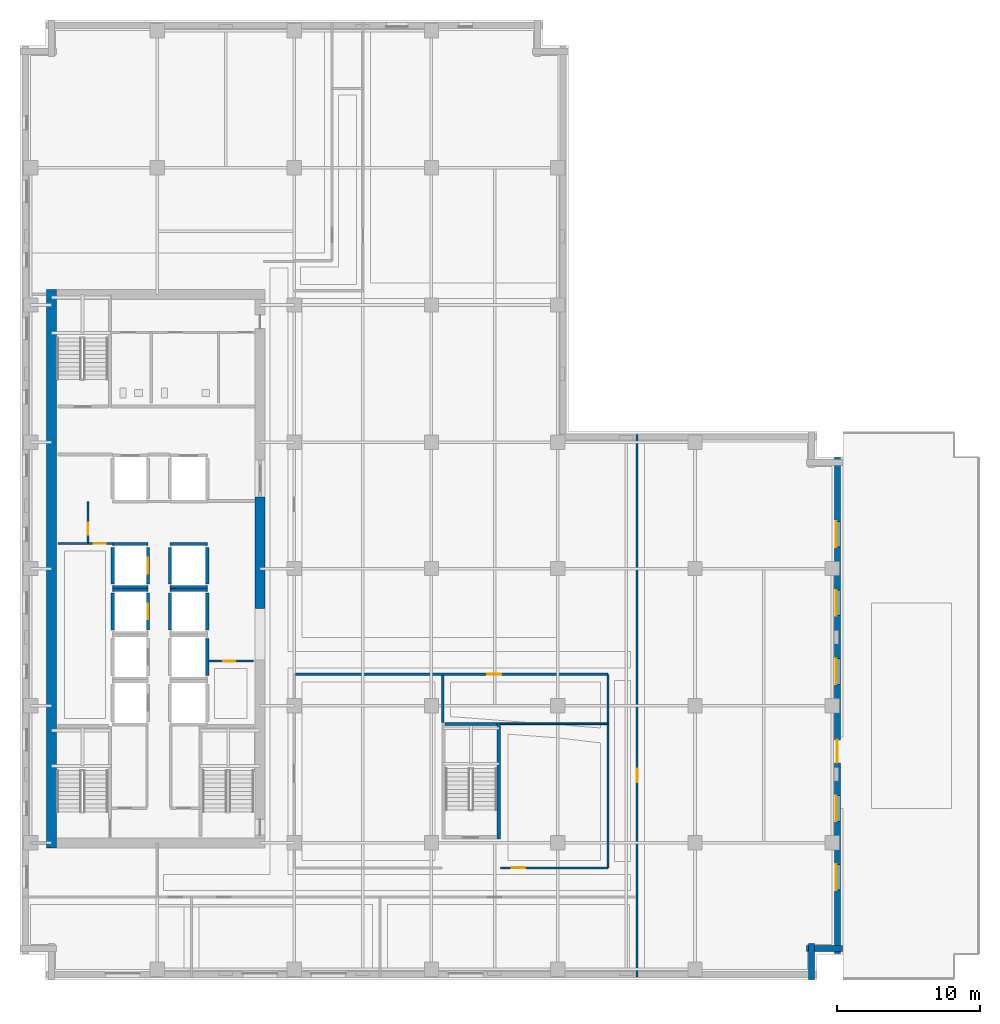
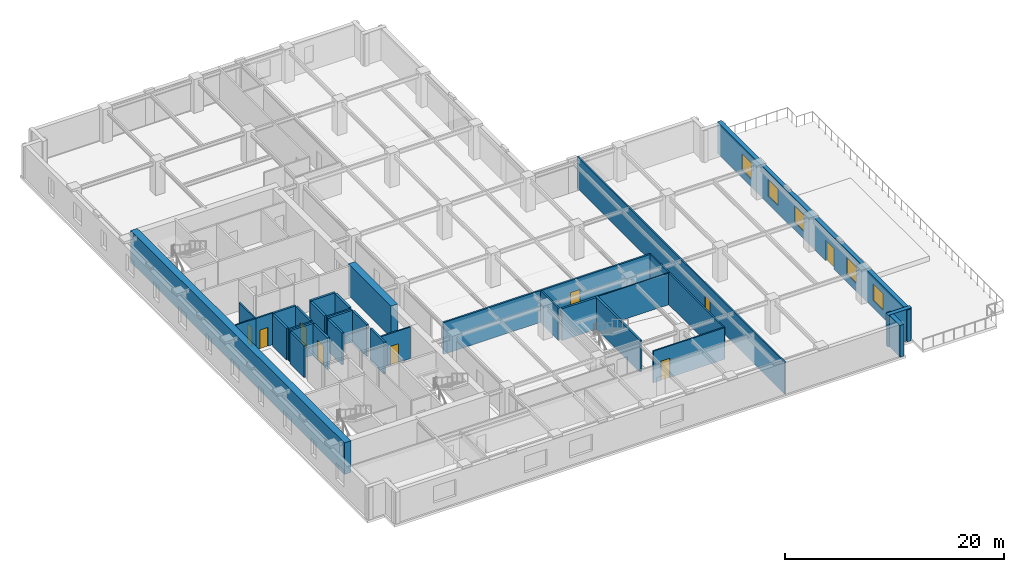
# One storey, part 5 of 12: 32 walls, 9 doors, 5 windows, 14 openings.
"""IFC4 building model written with IfcOpenShell, lengths in metres."""

from ifc_helpers import new_model, si_unit, direction, frame, frame_2d, origin, place, context, subcontext, project, spatial, rectangle, extrude, material, layer, layer_set, type_object, element, fill, save


model = new_model("IFC4")

# Units and contexts
model_context = context("Model", 3, precision=1e-05, world=origin(), true_north=direction((0.0, 1.0)))
body_context = subcontext(model_context, "Body", "Model", "MODEL_VIEW")
ifc_project = project(units=[si_unit("LENGTHUNIT", "METRE"), si_unit("AREAUNIT", "SQUARE_METRE"), si_unit("VOLUMEUNIT", "CUBIC_METRE"), si_unit("PLANEANGLEUNIT", "RADIAN"), si_unit("MASSUNIT", "GRAM", prefix="KILO")], contexts=[model_context])

# Site, building, storey
site_placement = place(None, origin())
site = spatial("IfcSite", under=ifc_project, at=site_placement, CompositionType="ELEMENT")
building_placement = place(site_placement, origin())
building = spatial("IfcBuilding", under=site, at=building_placement, Name="Norrvale University Quadrangle", CompositionType="ELEMENT")
storey_placement = place(building_placement, frame((0.0, 0.0, 101.39990234375)))
storey = spatial("IfcBuildingStorey", under=building, at=storey_placement, Name="L25", CompositionType="ELEMENT", Elevation=101.39990234375)

# Walls
ifc_material_1 = material(Name="Buff Norman Clay Brick Masonry", Category="masonry")
ifc_layer_1 = layer(ifc_material_1, 0.419921875, Name="Buff Norman Clay Brick Masonry")
ifc_layer_set_1 = layer_set([ifc_layer_1], Name="Buff Norman Clay Brick Masonry")
wall_type_1 = type_object("IfcWallType", Name="Wall Buff Brick 420", PredefinedType="SOLIDWALL", material=ifc_layer_set_1)
for number, where, z_axis, x_axis, name in (
    (1, (55.409912109375, 0.0400390625, 0.0), (0.0, 0.0, 1.0), (0.0, 1.0, 0.0), "Exterior Brick Facade Wall L25-02.1"),
    (2, (55.06005859375, 2.18994140625, 0.0), (0.0, 0.0, 1.0), (1.0, 0.0, 0.0), "Exterior Brick Facade Wall L25-03.1"),
):
    element("IfcWall", number, at=place(storey_placement, frame(where, z_axis=z_axis, x_axis=x_axis)), inside=storey, type_object=wall_type_1, Name=name, PredefinedType="SOLIDWALL", context=body_context, shape_type="SweptSolid", body=[
        extrude(rectangle(XDim=2.5, YDim=0.419921875, at=frame_2d((1.25, 0.0))), origin(), (0.0, 0.0, 1.0), 3.5400390625),
    ])

# Wall, openings, door, windows
wall_1_placement = place(storey_placement, frame((57.2099609375, 1.840087890625, 0.0), z_axis=(0.0, 0.0, 1.0), x_axis=(0.0, 1.0, 0.0)))
wall_1 = element("IfcWall", 3, at=wall_1_placement, inside=storey, type_object=wall_type_1, Name="Exterior Brick Facade Wall L25-04.1", PredefinedType="SOLIDWALL", context=body_context, shape_type="SweptSolid", body=[
    extrude(rectangle(XDim=34.719970703125, YDim=0.419921875, at=frame_2d((17.35986328125, 0.0))), origin(), (0.0, 0.0, 1.0), 3.5400390625),
])
opening_1_placement = place(wall_1_placement, frame((13.360107421875, 0.0, 0.0)))
opening_1 = element("IfcOpeningElement", 4, at=opening_1_placement, cuts=wall_1, Name="Opening D09", PredefinedType="OPENING", context=body_context, shape_type="SweptSolid", body=[
    extrude(rectangle(XDim=1.60009765625, YDim=2.300048828125, at=frame_2d((0.800048828125, 1.14990234375))), frame((0.0, 0.221923828125, 0.0), z_axis=(0.0, -1.0, 0.0), x_axis=(1.0, 0.0, 0.0)), (0.0, 0.0, 1.0), 0.44384765625),
])
opening_2_placement = place(wall_1_placement, frame((4.4599609375, 0.0, 0.85009765625)))
opening_2 = element("IfcOpeningElement", 5, at=opening_2_placement, cuts=wall_1, Name="Opening W01", PredefinedType="OPENING", context=body_context, shape_type="SweptSolid", body=[
    extrude(rectangle(XDim=1.800048828125, YDim=1.85009765625, at=frame_2d((0.89990234375, 0.925048828125))), frame((0.0, 0.221923828125, 0.0), z_axis=(0.0, -1.0, 0.0), x_axis=(1.0, 0.0, 0.0)), (0.0, 0.0, 1.0), 0.44384765625),
])
opening_3_placement = place(wall_1_placement, frame((9.260009765625, 0.0, 0.85009765625)))
opening_3 = element("IfcOpeningElement", 6, at=opening_3_placement, cuts=wall_1, Name="Opening W01", PredefinedType="OPENING", context=body_context, shape_type="SweptSolid", body=[
    extrude(rectangle(XDim=1.800048828125, YDim=1.85009765625, at=frame_2d((0.89990234375, 0.925048828125))), frame((0.0, 0.221923828125, 0.0), z_axis=(0.0, -1.0, 0.0), x_axis=(1.0, 0.0, 0.0)), (0.0, 0.0, 1.0), 0.44384765625),
])
opening_4_placement = place(wall_1_placement, frame((18.860107421875, 0.0, 0.85009765625)))
opening_4 = element("IfcOpeningElement", 7, at=opening_4_placement, cuts=wall_1, Name="Opening W01", PredefinedType="OPENING", context=body_context, shape_type="SweptSolid", body=[
    extrude(rectangle(XDim=1.800048828125, YDim=1.85009765625, at=frame_2d((0.89990234375, 0.925048828125))), frame((0.0, 0.221923828125, 0.0), z_axis=(0.0, -1.0, 0.0), x_axis=(1.0, 0.0, 0.0)), (0.0, 0.0, 1.0), 0.44384765625),
])
opening_5_placement = place(wall_1_placement, frame((23.659912109375, 0.0, 0.85009765625)))
opening_5 = element("IfcOpeningElement", 8, at=opening_5_placement, cuts=wall_1, Name="Opening W01", PredefinedType="OPENING", context=body_context, shape_type="SweptSolid", body=[
    extrude(rectangle(XDim=1.800048828125, YDim=1.85009765625, at=frame_2d((0.89990234375, 0.925048828125))), frame((0.0, 0.221923828125, 0.0), z_axis=(0.0, -1.0, 0.0), x_axis=(1.0, 0.0, 0.0)), (0.0, 0.0, 1.0), 0.44384765625),
])
opening_6_placement = place(wall_1_placement, frame((28.4599609375, 0.0, 0.85009765625)))
opening_6 = element("IfcOpeningElement", 9, at=opening_6_placement, cuts=wall_1, Name="Opening W01", PredefinedType="OPENING", context=body_context, shape_type="SweptSolid", body=[
    extrude(rectangle(XDim=1.800048828125, YDim=1.85009765625, at=frame_2d((0.89990234375, 0.925048828125))), frame((0.0, 0.221923828125, 0.0), z_axis=(0.0, -1.0, 0.0), x_axis=(1.0, 0.0, 0.0)), (0.0, 0.0, 1.0), 0.44384765625),
])
ifc_material_2 = material(Name="Thermally Broken Glazed Terrace Door")
door_type_1 = type_object("IfcDoorType", Name="Door Terrace 1600x2300", OperationType="DOUBLE_SWING_LEFT", PredefinedType="DOOR", material=ifc_material_2)
door_1_placement = place(opening_1_placement, frame((1.60009765625, 0.0, 0.0), z_axis=(0.0, 0.0, 1.0), x_axis=(-1.0, 0.0, 0.0)))
door_1 = element("IfcDoor", 10, at=door_1_placement, inside=storey, type_object=door_type_1, Name="Door Terrace 1600x2300 DR-L25-TERR-E", OperationType="DOUBLE_SWING_LEFT", OverallHeight=2.300048828125, OverallWidth=1.60009765625, PredefinedType="DOOR", context=body_context, shape_type="SweptSolid", body=[
    extrude(rectangle(XDim=1.60009765625, YDim=2.300048828125, at=frame_2d((0.800048828125, 1.14990234375))), frame((0.0, 0.02490234375, 0.0), z_axis=(0.0, -1.0, 0.0), x_axis=(1.0, 0.0, 0.0)), (0.0, 0.0, 1.0), 0.050048828125),
])
fill(opening_1, door_1)
ifc_material_3 = material(Name="Triple Low-E Argon Glazing", Category="glass")
window_type = type_object("IfcWindowType", Name="Window Academic 1800x2300", PartitioningType="DOUBLE_PANEL_VERTICAL", PredefinedType="WINDOW", material=ifc_material_3)
window_1_placement = place(opening_2_placement, origin())
window_1 = element("IfcWindow", 11, at=window_1_placement, inside=storey, type_object=window_type, Name="Window Academic 1800x2300 WIN-L25-E04-1-01", OverallHeight=1.85009765625, OverallWidth=1.800048828125, PartitioningType="DOUBLE_PANEL_VERTICAL", PredefinedType="WINDOW", context=body_context, shape_type="SweptSolid", body=[
    extrude(rectangle(XDim=1.800048828125, YDim=1.85009765625, at=frame_2d((0.89990234375, 0.925048828125))), frame((0.0, 0.110107421875, 0.0), z_axis=(0.0, -1.0, 0.0), x_axis=(1.0, 0.0, 0.0)), (0.0, 0.0, 1.0), 0.06005859375),
])
fill(opening_2, window_1)
window_2_placement = place(opening_3_placement, origin())
window_2 = element("IfcWindow", 12, at=window_2_placement, inside=storey, type_object=window_type, Name="Window Academic 1800x2300 WIN-L25-E04-1-02", OverallHeight=1.85009765625, OverallWidth=1.800048828125, PartitioningType="DOUBLE_PANEL_VERTICAL", PredefinedType="WINDOW", context=body_context, shape_type="SweptSolid", body=[
    extrude(rectangle(XDim=1.800048828125, YDim=1.85009765625, at=frame_2d((0.89990234375, 0.925048828125))), frame((0.0, 0.110107421875, 0.0), z_axis=(0.0, -1.0, 0.0), x_axis=(1.0, 0.0, 0.0)), (0.0, 0.0, 1.0), 0.06005859375),
])
fill(opening_3, window_2)
window_3_placement = place(opening_4_placement, origin())
window_3 = element("IfcWindow", 13, at=window_3_placement, inside=storey, type_object=window_type, Name="Window Academic 1800x2300 WIN-L25-E04-1-03", OverallHeight=1.85009765625, OverallWidth=1.800048828125, PartitioningType="DOUBLE_PANEL_VERTICAL", PredefinedType="WINDOW", context=body_context, shape_type="SweptSolid", body=[
    extrude(rectangle(XDim=1.800048828125, YDim=1.85009765625, at=frame_2d((0.89990234375, 0.925048828125))), frame((0.0, 0.110107421875, 0.0), z_axis=(0.0, -1.0, 0.0), x_axis=(1.0, 0.0, 0.0)), (0.0, 0.0, 1.0), 0.06005859375),
])
fill(opening_4, window_3)
window_4_placement = place(opening_5_placement, origin())
window_4 = element("IfcWindow", 14, at=window_4_placement, inside=storey, type_object=window_type, Name="Window Academic 1800x2300 WIN-L25-E04-1-04", OverallHeight=1.85009765625, OverallWidth=1.800048828125, PartitioningType="DOUBLE_PANEL_VERTICAL", PredefinedType="WINDOW", context=body_context, shape_type="SweptSolid", body=[
    extrude(rectangle(XDim=1.800048828125, YDim=1.85009765625, at=frame_2d((0.89990234375, 0.925048828125))), frame((0.0, 0.110107421875, 0.0), z_axis=(0.0, -1.0, 0.0), x_axis=(1.0, 0.0, 0.0)), (0.0, 0.0, 1.0), 0.06005859375),
])
fill(opening_5, window_4)
window_5_placement = place(opening_6_placement, origin())
window_5 = element("IfcWindow", 15, at=window_5_placement, inside=storey, type_object=window_type, Name="Window Academic 1800x2300 WIN-L25-E04-1-05", OverallHeight=1.85009765625, OverallWidth=1.800048828125, PartitioningType="DOUBLE_PANEL_VERTICAL", PredefinedType="WINDOW", context=body_context, shape_type="SweptSolid", body=[
    extrude(rectangle(XDim=1.800048828125, YDim=1.85009765625, at=frame_2d((0.89990234375, 0.925048828125))), frame((0.0, 0.110107421875, 0.0), z_axis=(0.0, -1.0, 0.0), x_axis=(1.0, 0.0, 0.0)), (0.0, 0.0, 1.0), 0.06005859375),
])
fill(opening_6, window_5)

# Walls
ifc_material_4 = material(Name="Concrete C60/75", Category="concrete")
ifc_layer_2 = layer(ifc_material_4, 0.699951171875, Name="Concrete C60/75")
ifc_layer_set_2 = layer_set([ifc_layer_2], Name="Concrete C60/75")
wall_type_2 = type_object("IfcWallType", Name="Wall Core 700", PredefinedType="SHEAR", material=ifc_layer_set_2)
wall_2_placement = place(storey_placement, frame((2.199951171875, 9.25, 0.0), z_axis=(0.0, 0.0, 1.0), x_axis=(0.0, 1.0, 0.0)))
element("IfcWall", 16, at=wall_2_placement, inside=storey, type_object=wall_type_2, Name="Tower Core Shear Wall L25-W", PredefinedType="SHEAR", context=body_context, shape_type="SweptSolid", body=[
    extrude(rectangle(XDim=39.10009765625, YDim=0.699951171875, at=frame_2d((19.550048828125, 0.0))), origin(), (0.0, 0.0, 1.0), 3.5400390625),
])
wall_3_placement = place(storey_placement, frame((16.800048828125, 26.0, 0.0), z_axis=(0.0, 0.0, 1.0), x_axis=(0.0, 1.0, 0.0)))
element("IfcWall", 17, at=wall_3_placement, inside=storey, type_object=wall_type_2, Name="Tower Core Shear Wall L25-E2", PredefinedType="SHEAR", context=body_context, shape_type="SweptSolid", body=[
    extrude(rectangle(XDim=7.800048828125, YDim=0.699951171875, at=frame_2d((3.89990234375, 0.0))), origin(), (0.0, 0.0, 1.0), 3.5400390625),
])
ifc_material_5 = material(Name="Standard Academic Gypsum Partition")
ifc_layer_3 = layer(ifc_material_5, 0.125, Name="Standard Academic Gypsum Partition")
ifc_layer_set_3 = layer_set([ifc_layer_3], Name="Standard Academic Gypsum Partition")
wall_type_3 = type_object("IfcWallType", Name="Wall Gypsum Academic 125", PredefinedType="PARTITIONING", material=ifc_layer_set_3)
wall_4_placement = place(storey_placement, frame((33.6201171875, 17.93994140625, 0.0), z_axis=(0.0, 0.0, 1.0), x_axis=(1.0, 0.0, 0.0)))
element("IfcWall", 18, at=wall_4_placement, inside=storey, type_object=wall_type_3, Name="Interior Partition WL-L25-ISLH", PredefinedType="PARTITIONING", context=body_context, shape_type="SweptSolid", body=[
    extrude(rectangle(XDim=7.52978515625, YDim=0.125, at=frame_2d((3.764892578125, 0.0))), origin(), (0.0, 0.0, 1.0), 3.5400390625),
])

# Wall, opening, door
ifc_material_6 = material(Name="Fire-Rated Gypsum Stud Partition")
ifc_layer_4 = layer(ifc_material_6, 0.14990234375, Name="Fire-Rated Gypsum Stud Partition")
ifc_layer_set_4 = layer_set([ifc_layer_4], Name="Fire-Rated Gypsum Stud Partition")
wall_type_4 = type_object("IfcWallType", Name="Wall Gypsum Corridor 150", PredefinedType="PARTITIONING", material=ifc_layer_set_4)
wall_5_placement = place(storey_placement, frame((13.22509765625, 22.320068359375, 0.0), z_axis=(0.0, 0.0, 1.0), x_axis=(1.0, 0.0, 0.0)))
wall_5 = element("IfcWall", 19, at=wall_5_placement, inside=storey, type_object=wall_type_4, Name="Interior Partition WL-L25-JAN-N", PredefinedType="PARTITIONING", context=body_context, shape_type="SweptSolid", body=[
    extrude(rectangle(XDim=3.119873046875, YDim=0.14990234375, at=frame_2d((1.56005859375, 0.0))), origin(), (0.0, 0.0, 1.0), 3.5400390625),
])
opening_7_placement = place(wall_5_placement, frame((1.0, 0.0, 0.0)))
opening_7 = element("IfcOpeningElement", 20, at=opening_7_placement, cuts=wall_5, Name="Opening D10", PredefinedType="OPENING", context=body_context, shape_type="SweptSolid", body=[
    extrude(rectangle(XDim=0.85009765625, YDim=2.10009765625, at=frame_2d((0.425048828125, 1.050048828125))), frame((0.0, 0.0869140625, 0.0), z_axis=(0.0, -1.0, 0.0), x_axis=(1.0, 0.0, 0.0)), (0.0, 0.0, 1.0), 0.173828125),
])
ifc_material_7 = material(Name="Hollow Steel 350W Riser Fire Door", Category="steel")
door_type_2 = type_object("IfcDoorType", Name="Door Riser 850x2100", OperationType="NOTDEFINED", PredefinedType="DOOR", material=ifc_material_7)
door_2_placement = place(opening_7_placement, origin())
door_2 = element("IfcDoor", 21, at=door_2_placement, inside=storey, type_object=door_type_2, Name="Door Riser 850x2100 DR-L25-JAN", OperationType="SINGLE_SWING_LEFT", OverallHeight=2.10009765625, OverallWidth=0.85009765625, PredefinedType="DOOR", context=body_context, shape_type="SweptSolid", body=[
    extrude(rectangle(XDim=0.85009765625, YDim=2.10009765625, at=frame_2d((0.425048828125, 1.050048828125))), frame((0.0, 0.02490234375, 0.0), z_axis=(0.0, -1.0, 0.0), x_axis=(1.0, 0.0, 0.0)), (0.0, 0.0, 1.0), 0.050048828125),
])
fill(opening_7, door_2)

wall_6_placement = place(storey_placement, frame((4.760009765625, 30.550048828125, 0.0), z_axis=(0.0, 0.0, 1.0), x_axis=(0.0, 1.0, 0.0)))
wall_6 = element("IfcWall", 22, at=wall_6_placement, inside=storey, type_object=wall_type_4, Name="Interior Partition WL-L25-WME-E", PredefinedType="PARTITIONING", context=body_context, shape_type="SweptSolid", body=[
    extrude(rectangle(XDim=2.929931640625, YDim=0.14990234375, at=frame_2d((1.46484375, 0.0))), origin(), (0.0, 0.0, 1.0), 3.5400390625),
])
opening_8_placement = place(wall_6_placement, frame((0.60009765625, 0.0, 0.0)))
opening_8 = element("IfcOpeningElement", 23, at=opening_8_placement, cuts=wall_6, Name="Opening D10", PredefinedType="OPENING", context=body_context, shape_type="SweptSolid", body=[
    extrude(rectangle(XDim=0.85009765625, YDim=2.10009765625, at=frame_2d((0.425048828125, 1.050048828125))), frame((0.0, 0.0869140625, 0.0), z_axis=(0.0, -1.0, 0.0), x_axis=(1.0, 0.0, 0.0)), (0.0, 0.0, 1.0), 0.173828125),
])
door_3_placement = place(opening_8_placement, origin())
door_3 = element("IfcDoor", 24, at=door_3_placement, inside=storey, type_object=door_type_2, Name="Door Riser 850x2100 DR-L25-WME", OperationType="SINGLE_SWING_LEFT", OverallHeight=2.10009765625, OverallWidth=0.85009765625, PredefinedType="DOOR", context=body_context, shape_type="SweptSolid", body=[
    extrude(rectangle(XDim=0.85009765625, YDim=2.10009765625, at=frame_2d((0.425048828125, 1.050048828125))), frame((0.0, 0.02490234375, 0.0), z_axis=(0.0, -1.0, 0.0), x_axis=(1.0, 0.0, 0.0)), (0.0, 0.0, 1.0), 0.050048828125),
])
fill(opening_8, door_3)

wall_7_placement = place(storey_placement, frame((4.760009765625, 30.550048828125, 0.0), z_axis=(0.0, 0.0, 1.0), x_axis=(1.0, 0.0, 0.0)))
wall_7 = element("IfcWall", 25, at=wall_7_placement, inside=storey, type_object=wall_type_4, Name="Interior Partition WL-L25-WST-N", PredefinedType="PARTITIONING", context=body_context, shape_type="SweptSolid", body=[
    extrude(rectangle(XDim=1.760009765625, YDim=0.14990234375, at=frame_2d((0.8798828125, 0.0))), origin(), (0.0, 0.0, 1.0), 3.5400390625),
])
opening_9_placement = place(wall_7_placement, frame((0.39990234375, 0.0, 0.0)))
opening_9 = element("IfcOpeningElement", 26, at=opening_9_placement, cuts=wall_7, Name="Opening D10", PredefinedType="OPENING", context=body_context, shape_type="SweptSolid", body=[
    extrude(rectangle(XDim=0.85009765625, YDim=2.10009765625, at=frame_2d((0.425048828125, 1.050048828125))), frame((0.0, 0.0869140625, 0.0), z_axis=(0.0, -1.0, 0.0), x_axis=(1.0, 0.0, 0.0)), (0.0, 0.0, 1.0), 0.173828125),
])
door_4_placement = place(opening_9_placement, origin())
door_4 = element("IfcDoor", 27, at=door_4_placement, inside=storey, type_object=door_type_2, Name="Door Riser 850x2100 DR-L25-WST", OperationType="SINGLE_SWING_RIGHT", OverallHeight=2.10009765625, OverallWidth=0.85009765625, PredefinedType="DOOR", context=body_context, shape_type="SweptSolid", body=[
    extrude(rectangle(XDim=0.85009765625, YDim=2.10009765625, at=frame_2d((0.425048828125, 1.050048828125))), frame((0.0, 0.02490234375, 0.0), z_axis=(0.0, -1.0, 0.0), x_axis=(1.0, 0.0, 0.0)), (0.0, 0.0, 1.0), 0.050048828125),
])
fill(opening_9, door_4)

# Wall
wall_8_placement = place(storey_placement, frame((2.64990234375, 30.550048828125, 0.0), z_axis=(0.0, 0.0, 1.0), x_axis=(1.0, 0.0, 0.0)))
element("IfcWall", 28, at=wall_8_placement, inside=storey, type_object=wall_type_4, Name="Interior Partition WL-L25-WST-N2", PredefinedType="PARTITIONING", context=body_context, shape_type="SweptSolid", body=[
    extrude(rectangle(XDim=2.110107421875, YDim=0.14990234375, at=frame_2d((1.05517578125, 0.0))), origin(), (0.0, 0.0, 1.0), 3.5400390625),
])

# Wall, opening, door
wall_9_placement = place(storey_placement, frame((43.199951171875, 0.219970703125, 0.0), z_axis=(0.0, 0.0, 1.0), x_axis=(0.0, 1.0, 0.0)))
wall_9 = element("IfcWall", 29, at=wall_9_placement, inside=storey, type_object=wall_type_4, Name="Interior Partition WL-L25-ECW", PredefinedType="PARTITIONING", context=body_context, shape_type="SweptSolid", body=[
    extrude(rectangle(XDim=37.9599609375, YDim=0.14990234375, at=frame_2d((18.97998046875, 0.0))), origin(), (0.0, 0.0, 1.0), 3.5400390625),
])
opening_10_placement = place(wall_9_placement, frame((13.6298828125, 0.0, 0.0)))
opening_10 = element("IfcOpeningElement", 30, at=opening_10_placement, cuts=wall_9, Name="Opening D07", PredefinedType="OPENING", context=body_context, shape_type="SweptSolid", body=[
    extrude(rectangle(XDim=0.949951171875, YDim=2.14990234375, at=frame_2d((0.47509765625, 1.074951171875))), frame((0.0, 0.0869140625, 0.0), z_axis=(0.0, -1.0, 0.0), x_axis=(1.0, 0.0, 0.0)), (0.0, 0.0, 1.0), 0.173828125),
])
ifc_material_8 = material(Name="Solid-Core Maple Door", Category="wood")
door_type_3 = type_object("IfcDoorType", Name="Door Office 950x2150", OperationType="NOTDEFINED", PredefinedType="DOOR", material=ifc_material_8)
door_5_placement = place(opening_10_placement, origin())
door_5 = element("IfcDoor", 31, at=door_5_placement, inside=storey, type_object=door_type_3, Name="Door Office 950x2150 DR-L25-E01", OperationType="SINGLE_SWING_RIGHT", OverallHeight=2.14990234375, OverallWidth=0.949951171875, PredefinedType="DOOR", context=body_context, shape_type="SweptSolid", body=[
    extrude(rectangle(XDim=0.949951171875, YDim=2.14990234375, at=frame_2d((0.47509765625, 1.074951171875))), frame((0.0, 0.02490234375, 0.0), z_axis=(0.0, -1.0, 0.0), x_axis=(1.0, 0.0, 0.0)), (0.0, 0.0, 1.0), 0.050048828125),
])
fill(opening_10, door_5)

wall_10_placement = place(storey_placement, frame((33.6201171875, 7.85009765625, 0.0), z_axis=(0.0, 0.0, 1.0), x_axis=(1.0, 0.0, 0.0)))
wall_10 = element("IfcWall", 32, at=wall_10_placement, inside=storey, type_object=wall_type_4, Name="Interior Partition WL-L25-ISLS2", PredefinedType="PARTITIONING", context=body_context, shape_type="SweptSolid", body=[
    extrude(rectangle(XDim=7.52978515625, YDim=0.14990234375, at=frame_2d((3.764892578125, 0.0))), origin(), (0.0, 0.0, 1.0), 3.5400390625),
])
opening_11_placement = place(wall_10_placement, frame((0.800048828125, 0.0, 0.0)))
opening_11 = element("IfcOpeningElement", 33, at=opening_11_placement, cuts=wall_10, Name="Opening D07", PredefinedType="OPENING", context=body_context, shape_type="SweptSolid", body=[
    extrude(rectangle(XDim=0.949951171875, YDim=2.14990234375, at=frame_2d((0.47509765625, 1.074951171875))), frame((0.0, 0.0869140625, 0.0), z_axis=(0.0, -1.0, 0.0), x_axis=(1.0, 0.0, 0.0)), (0.0, 0.0, 1.0), 0.173828125),
])
door_6_placement = place(opening_11_placement, origin())
door_6 = element("IfcDoor", 34, at=door_6_placement, inside=storey, type_object=door_type_3, Name="Door Office 950x2150 DR-L25-ISE", OperationType="SINGLE_SWING_LEFT", OverallHeight=2.14990234375, OverallWidth=0.949951171875, PredefinedType="DOOR", context=body_context, shape_type="SweptSolid", body=[
    extrude(rectangle(XDim=0.949951171875, YDim=2.14990234375, at=frame_2d((0.47509765625, 1.074951171875))), frame((0.0, 0.02490234375, 0.0), z_axis=(0.0, -1.0, 0.0), x_axis=(1.0, 0.0, 0.0)), (0.0, 0.0, 1.0), 0.050048828125),
])
fill(opening_11, door_6)

# Walls
wall_11_placement = place(storey_placement, frame((41.14990234375, 7.85009765625, 0.0), z_axis=(0.0, 0.0, 1.0), x_axis=(0.0, 1.0, 0.0)))
element("IfcWall", 35, at=wall_11_placement, inside=storey, type_object=wall_type_4, Name="Interior Partition WL-L25-ISLE", PredefinedType="PARTITIONING", context=body_context, shape_type="SweptSolid", body=[
    extrude(rectangle(XDim=13.5498046875, YDim=0.14990234375, at=frame_2d((6.77490234375, 0.0))), origin(), (0.0, 0.0, 1.0), 3.5400390625),
])
ifc_material_9 = material(Name="Acoustic Double-Stud Gypsum Partition")
ifc_layer_5 = layer(ifc_material_9, 0.179931640625, Name="Acoustic Double-Stud Gypsum Partition")
ifc_layer_set_5 = layer_set([ifc_layer_5], Name="Acoustic Double-Stud Gypsum Partition")
wall_type_5 = type_object("IfcWallType", Name="Wall Gypsum Lecture 180", PredefinedType="PARTITIONING", material=ifc_layer_set_5)
wall_12_placement = place(storey_placement, frame((29.580078125, 18.02490234375, 0.0), z_axis=(0.0, 0.0, 1.0), x_axis=(0.0, 1.0, 0.0)))
element("IfcWall", 36, at=wall_12_placement, inside=storey, type_object=wall_type_5, Name="Interior Partition WL-L25-ISLD", PredefinedType="PARTITIONING", context=body_context, shape_type="SweptSolid", body=[
    extrude(rectangle(XDim=3.280029296875, YDim=0.179931640625, at=frame_2d((1.64013671875, 0.0))), origin(), (0.0, 0.0, 1.0), 3.5400390625),
])

# Wall, opening, door
wall_13_placement = place(storey_placement, frame((19.280029296875, 21.39990234375, 0.0), z_axis=(0.0, 0.0, 1.0), x_axis=(1.0, 0.0, 0.0)))
wall_13 = element("IfcWall", 37, at=wall_13_placement, inside=storey, type_object=wall_type_5, Name="Interior Partition WL-L25-ISLN", PredefinedType="PARTITIONING", context=body_context, shape_type="SweptSolid", body=[
    extrude(rectangle(XDim=21.869873046875, YDim=0.179931640625, at=frame_2d((10.93505859375, 0.0))), origin(), (0.0, 0.0, 1.0), 3.5400390625),
])
opening_12_placement = place(wall_13_placement, frame((13.419921875, 0.0, 0.0)))
opening_12 = element("IfcOpeningElement", 38, at=opening_12_placement, cuts=wall_13, Name="Opening D04", PredefinedType="OPENING", context=body_context, shape_type="SweptSolid", body=[
    extrude(rectangle(XDim=1.0, YDim=2.199951171875, at=frame_2d((0.5, 1.10009765625))), frame((0.0, 0.10205078125, 0.0), z_axis=(0.0, -1.0, 0.0), x_axis=(1.0, 0.0, 0.0)), (0.0, 0.0, 1.0), 0.203857421875),
])
ifc_material_10 = material(Name="Solid-Core Oak Fire Door", Category="wood")
door_type_4 = type_object("IfcDoorType", Name="Door Corridor 1000x2200", OperationType="NOTDEFINED", PredefinedType="DOOR", material=ifc_material_10)
door_7_placement = place(opening_12_placement, origin())
door_7 = element("IfcDoor", 39, at=door_7_placement, inside=storey, type_object=door_type_4, Name="Door Corridor 1000x2200 DR-L25-ILH", OperationType="SINGLE_SWING_RIGHT", OverallHeight=2.199951171875, OverallWidth=1.0, PredefinedType="DOOR", context=body_context, shape_type="SweptSolid", body=[
    extrude(rectangle(XDim=1.0, YDim=2.199951171875, at=frame_2d((0.5, 1.10009765625))), frame((0.0, 0.02490234375, 0.0), z_axis=(0.0, -1.0, 0.0), x_axis=(1.0, 0.0, 0.0)), (0.0, 0.0, 1.0), 0.050048828125),
])
fill(opening_12, door_7)

# Walls
ifc_material_11 = material(Name="Concrete Blockwork 20 MPa Fire Shaft", Category="masonry")
ifc_layer_6 = layer(ifc_material_11, 0.219970703125, Name="Concrete Blockwork 20 MPa Fire Shaft")
ifc_layer_set_6 = layer_set([ifc_layer_6], Name="Concrete Blockwork 20 MPa Fire Shaft")
wall_type_6 = type_object("IfcWallType", Name="Wall Shaft 220", PredefinedType="SOLIDWALL", material=ifc_layer_set_6)
wall_14_placement = place(storey_placement, frame((33.510009765625, 9.8798828125, 0.0), z_axis=(0.0, 0.0, 1.0), x_axis=(0.0, 1.0, 0.0)))
element("IfcWall", 40, at=wall_14_placement, inside=storey, type_object=wall_type_6, Name="Stair ST-04 East Shaft Wall L25", PredefinedType="SOLIDWALL", context=body_context, shape_type="SweptSolid", body=[
    extrude(rectangle(XDim=8.14013671875, YDim=0.219970703125, at=frame_2d((4.070068359375, 0.0))), origin(), (0.0, 0.0, 1.0), 3.5400390625),
])
wall_15_placement = place(storey_placement, frame((29.75, 17.909912109375, 0.0), z_axis=(0.0, 0.0, 1.0), x_axis=(1.0, 0.0, 0.0)))
element("IfcWall", 41, at=wall_15_placement, inside=storey, type_object=wall_type_6, Name="Stair ST-04 North Shaft Wall L25", PredefinedType="SOLIDWALL", context=body_context, shape_type="SweptSolid", body=[
    extrude(rectangle(XDim=3.64990234375, YDim=0.219970703125, at=frame_2d((1.824951171875, 0.0))), origin(), (0.0, 0.0, 1.0), 3.5400390625),
])
wall_16_placement = place(storey_placement, frame((6.489990234375, 24.510009765625, 0.0), z_axis=(0.0, 0.0, 1.0), x_axis=(0.0, 1.0, 0.0)))
element("IfcWall", 42, at=wall_16_placement, inside=storey, type_object=wall_type_6, Name="Hoistway PL-03 West Wall L25", PredefinedType="SOLIDWALL", context=body_context, shape_type="SweptSolid", body=[
    extrude(rectangle(XDim=2.580078125, YDim=0.219970703125, at=frame_2d((1.2900390625, 0.0))), origin(), (0.0, 0.0, 1.0), 3.5400390625),
])

# Wall, opening, door
wall_17_placement = place(storey_placement, frame((8.9599609375, 24.510009765625, 0.0), z_axis=(0.0, 0.0, 1.0), x_axis=(0.0, 1.0, 0.0)))
wall_17 = element("IfcWall", 43, at=wall_17_placement, inside=storey, type_object=wall_type_6, Name="Hoistway PL-03 East Wall L25", PredefinedType="SOLIDWALL", context=body_context, shape_type="SweptSolid", body=[
    extrude(rectangle(XDim=2.580078125, YDim=0.219970703125, at=frame_2d((1.2900390625, 0.0))), origin(), (0.0, 0.0, 1.0), 3.5400390625),
])
opening_13_placement = place(wall_17_placement, frame((0.739990234375, 0.0, 0.0)))
opening_13 = element("IfcOpeningElement", 44, at=opening_13_placement, cuts=wall_17, Name="Opening LD1", PredefinedType="OPENING", context=body_context, shape_type="SweptSolid", body=[
    extrude(rectangle(XDim=1.10009765625, YDim=2.199951171875, at=frame_2d((0.550048828125, 1.10009765625))), frame((0.0, 0.1220703125, 0.0), z_axis=(0.0, -1.0, 0.0), x_axis=(1.0, 0.0, 0.0)), (0.0, 0.0, 1.0), 0.243896484375),
])
ifc_material_12 = material(Name="Stainless Steel 316L Lift Landing Door", Category="steel")
door_type_5 = type_object("IfcDoorType", Name="Door Lift Landing 1100x2200", OperationType="DOUBLE_DOOR_SLIDING", PredefinedType="DOOR", material=ifc_material_12)
door_8_placement = place(opening_13_placement, origin())
door_8 = element("IfcDoor", 45, at=door_8_placement, inside=storey, type_object=door_type_5, Name="Elevator Landing Door DR-L25-PL-03", OperationType="DOUBLE_DOOR_SLIDING", OverallHeight=2.199951171875, OverallWidth=1.10009765625, PredefinedType="DOOR", context=body_context, shape_type="SweptSolid", body=[
    extrude(rectangle(XDim=1.10009765625, YDim=2.199951171875, at=frame_2d((0.550048828125, 1.10009765625))), frame((0.0, 0.02490234375, 0.0), z_axis=(0.0, -1.0, 0.0), x_axis=(1.0, 0.0, 0.0)), (0.0, 0.0, 1.0), 0.050048828125),
])
fill(opening_13, door_8)

# Walls
wall_18_placement = place(storey_placement, frame((6.489990234375, 27.31005859375, 0.0), z_axis=(0.0, 0.0, 1.0), x_axis=(1.0, 0.0, 0.0)))
element("IfcWall", 46, at=wall_18_placement, inside=storey, type_object=wall_type_6, Name="Hoistway PL-03 North Wall L25", PredefinedType="SOLIDWALL", context=body_context, shape_type="SweptSolid", body=[
    extrude(rectangle(XDim=2.469970703125, YDim=0.219970703125, at=frame_2d((1.23486328125, 0.0))), origin(), (0.0, 0.0, 1.0), 3.5400390625),
])
wall_19_placement = place(storey_placement, frame((6.489990234375, 27.7099609375, 0.0), z_axis=(0.0, 0.0, 1.0), x_axis=(0.0, 1.0, 0.0)))
element("IfcWall", 47, at=wall_19_placement, inside=storey, type_object=wall_type_6, Name="Hoistway PL-04 West Wall L25", PredefinedType="SOLIDWALL", context=body_context, shape_type="SweptSolid", body=[
    extrude(rectangle(XDim=2.580078125, YDim=0.219970703125, at=frame_2d((1.2900390625, 0.0))), origin(), (0.0, 0.0, 1.0), 3.5400390625),
])

# Wall, opening, door
wall_20_placement = place(storey_placement, frame((8.9599609375, 27.7099609375, 0.0), z_axis=(0.0, 0.0, 1.0), x_axis=(0.0, 1.0, 0.0)))
wall_20 = element("IfcWall", 48, at=wall_20_placement, inside=storey, type_object=wall_type_6, Name="Hoistway PL-04 East Wall L25", PredefinedType="SOLIDWALL", context=body_context, shape_type="SweptSolid", body=[
    extrude(rectangle(XDim=2.580078125, YDim=0.219970703125, at=frame_2d((1.2900390625, 0.0))), origin(), (0.0, 0.0, 1.0), 3.5400390625),
])
opening_14_placement = place(wall_20_placement, frame((0.739990234375, 0.0, 0.0)))
opening_14 = element("IfcOpeningElement", 49, at=opening_14_placement, cuts=wall_20, Name="Opening LD1", PredefinedType="OPENING", context=body_context, shape_type="SweptSolid", body=[
    extrude(rectangle(XDim=1.10009765625, YDim=2.199951171875, at=frame_2d((0.550048828125, 1.10009765625))), frame((0.0, 0.1220703125, 0.0), z_axis=(0.0, -1.0, 0.0), x_axis=(1.0, 0.0, 0.0)), (0.0, 0.0, 1.0), 0.243896484375),
])
door_9_placement = place(opening_14_placement, origin())
door_9 = element("IfcDoor", 50, at=door_9_placement, inside=storey, type_object=door_type_5, Name="Elevator Landing Door DR-L25-PL-04", OperationType="DOUBLE_DOOR_SLIDING", OverallHeight=2.199951171875, OverallWidth=1.10009765625, PredefinedType="DOOR", context=body_context, shape_type="SweptSolid", body=[
    extrude(rectangle(XDim=1.10009765625, YDim=2.199951171875, at=frame_2d((0.550048828125, 1.10009765625))), frame((0.0, 0.02490234375, 0.0), z_axis=(0.0, -1.0, 0.0), x_axis=(1.0, 0.0, 0.0)), (0.0, 0.0, 1.0), 0.050048828125),
])
fill(opening_14, door_9)

# Walls
for number, where, z_axis, x_axis, name in (
    (51, (6.489990234375, 27.489990234375, 0.0), (0.0, 0.0, 1.0), (1.0, 0.0, 0.0), "Hoistway PL-04 South Wall L25"),
    (52, (6.489990234375, 30.510009765625, 0.0), (0.0, 0.0, 1.0), (1.0, 0.0, 0.0), "Hoistway PL-04 North Wall L25"),
):
    element("IfcWall", number, at=place(storey_placement, frame(where, z_axis=z_axis, x_axis=x_axis)), inside=storey, type_object=wall_type_6, Name=name, PredefinedType="SOLIDWALL", context=body_context, shape_type="SweptSolid", body=[
        extrude(rectangle(XDim=2.469970703125, YDim=0.219970703125, at=frame_2d((1.23486328125, 0.0))), origin(), (0.0, 0.0, 1.0), 3.5400390625),
    ])
wall_21_placement = place(storey_placement, frame((13.110107421875, 21.31005859375, 0.0), z_axis=(0.0, 0.0, 1.0), x_axis=(0.0, 1.0, 0.0)))
element("IfcWall", 53, at=wall_21_placement, inside=storey, type_object=wall_type_6, Name="Hoistway PL-06 East Wall L25", PredefinedType="SOLIDWALL", context=body_context, shape_type="SweptSolid", body=[
    extrude(rectangle(XDim=2.579833984375, YDim=0.219970703125, at=frame_2d((1.2900390625, 0.0))), origin(), (0.0, 0.0, 1.0), 3.5400390625),
])
for number, where, z_axis, x_axis, name in (
    (54, (10.489990234375, 24.510009765625, 0.0), (0.0, 0.0, 1.0), (0.0, 1.0, 0.0), "Hoistway PL-07 West Wall L25"),
    (55, (13.110107421875, 24.510009765625, 0.0), (0.0, 0.0, 1.0), (0.0, 1.0, 0.0), "Hoistway PL-07 East Wall L25"),
):
    element("IfcWall", number, at=place(storey_placement, frame(where, z_axis=z_axis, x_axis=x_axis)), inside=storey, type_object=wall_type_6, Name=name, PredefinedType="SOLIDWALL", context=body_context, shape_type="SweptSolid", body=[
        extrude(rectangle(XDim=2.580078125, YDim=0.219970703125, at=frame_2d((1.2900390625, 0.0))), origin(), (0.0, 0.0, 1.0), 3.5400390625),
    ])
wall_22_placement = place(storey_placement, frame((10.489990234375, 27.31005859375, 0.0), z_axis=(0.0, 0.0, 1.0), x_axis=(1.0, 0.0, 0.0)))
element("IfcWall", 56, at=wall_22_placement, inside=storey, type_object=wall_type_6, Name="Hoistway PL-07 North Wall L25", PredefinedType="SOLIDWALL", context=body_context, shape_type="SweptSolid", body=[
    extrude(rectangle(XDim=2.6201171875, YDim=0.219970703125, at=frame_2d((1.31005859375, 0.0))), origin(), (0.0, 0.0, 1.0), 3.5400390625),
])
for number, where, z_axis, x_axis, name in (
    (57, (10.489990234375, 27.7099609375, 0.0), (0.0, 0.0, 1.0), (0.0, 1.0, 0.0), "Hoistway PL-08 West Wall L25"),
    (58, (13.110107421875, 27.7099609375, 0.0), (0.0, 0.0, 1.0), (0.0, 1.0, 0.0), "Hoistway PL-08 East Wall L25"),
):
    element("IfcWall", number, at=place(storey_placement, frame(where, z_axis=z_axis, x_axis=x_axis)), inside=storey, type_object=wall_type_6, Name=name, PredefinedType="SOLIDWALL", context=body_context, shape_type="SweptSolid", body=[
        extrude(rectangle(XDim=2.580078125, YDim=0.219970703125, at=frame_2d((1.2900390625, 0.0))), origin(), (0.0, 0.0, 1.0), 3.5400390625),
    ])
for number, where, z_axis, x_axis, name in (
    (59, (10.489990234375, 27.489990234375, 0.0), (0.0, 0.0, 1.0), (1.0, 0.0, 0.0), "Hoistway PL-08 South Wall L25"),
    (60, (10.489990234375, 30.510009765625, 0.0), (0.0, 0.0, 1.0), (1.0, 0.0, 0.0), "Hoistway PL-08 North Wall L25"),
):
    element("IfcWall", number, at=place(storey_placement, frame(where, z_axis=z_axis, x_axis=x_axis)), inside=storey, type_object=wall_type_6, Name=name, PredefinedType="SOLIDWALL", context=body_context, shape_type="SweptSolid", body=[
        extrude(rectangle(XDim=2.6201171875, YDim=0.219970703125, at=frame_2d((1.31005859375, 0.0))), origin(), (0.0, 0.0, 1.0), 3.5400390625),
    ])

save(model, "model.ifc")
